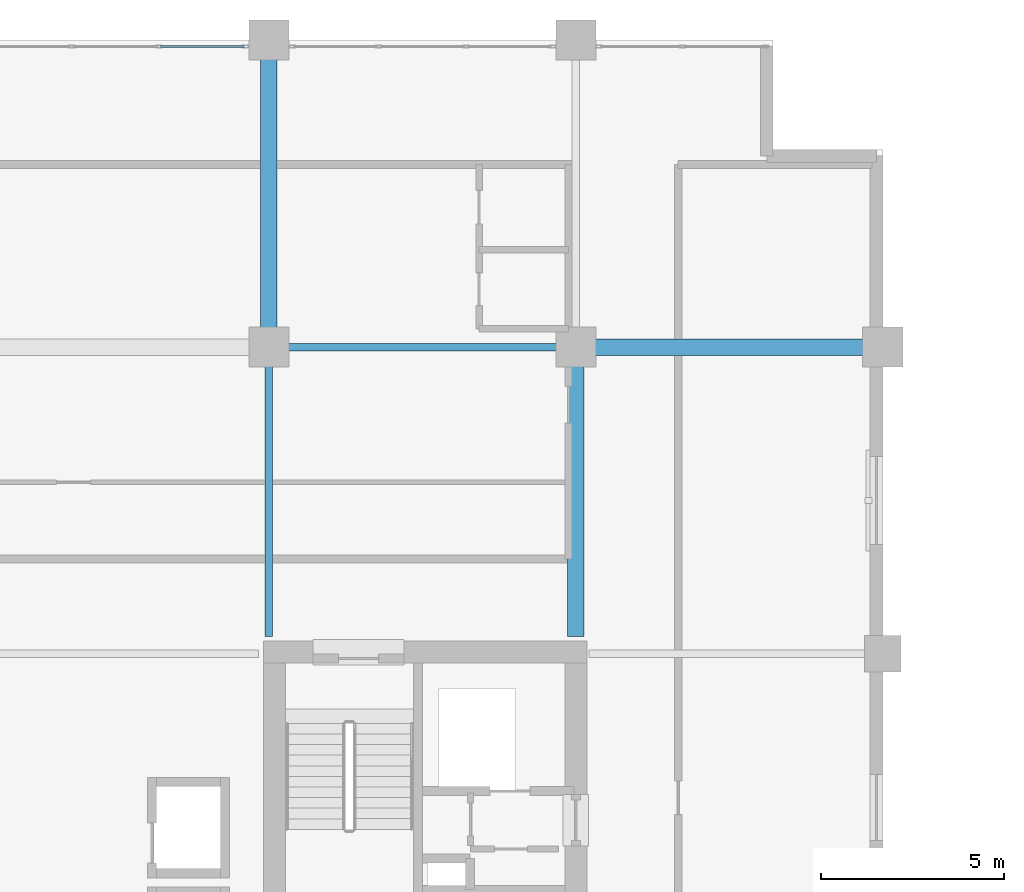
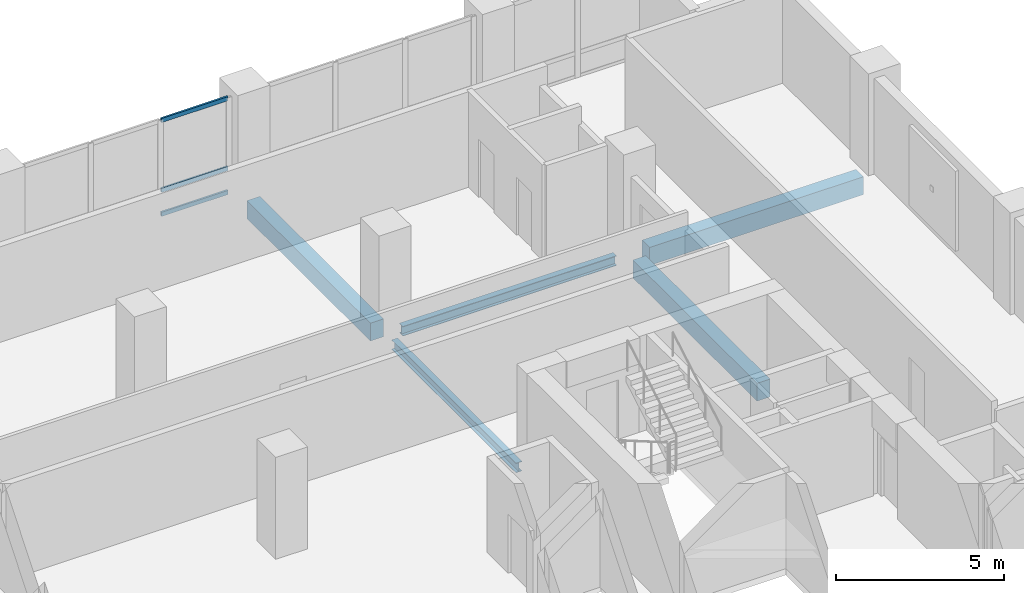
# One storey, part 4 of 19: 5 beams, 3 members, 1 element without a shape of its own.
"""IFC4 building model written with IfcOpenShell, lengths in metres."""

from ifc_helpers import new_model, si_unit, direction, frame, origin, origin_2d, place, context, subcontext, project, spatial, rectangle, hollow_rectangle, i_section, extrude, material, layer, layer_set, material_profile, profile_set, type_object, element, aggregate, save


model = new_model("IFC4")

# Units and contexts
model_context = context("Model", 3, precision=1e-05, world=origin(), true_north=direction((0.0, 1.0)))
body_context = subcontext(model_context, "Body", "Model", "MODEL_VIEW")
ifc_project = project(units=[si_unit("LENGTHUNIT", "METRE"), si_unit("AREAUNIT", "SQUARE_METRE"), si_unit("VOLUMEUNIT", "CUBIC_METRE"), si_unit("PLANEANGLEUNIT", "RADIAN"), si_unit("MASSUNIT", "GRAM", prefix="KILO")], contexts=[model_context])

# Site, building, storey
site_placement = place(None, origin())
site = spatial("IfcSite", under=ifc_project, at=site_placement, CompositionType="ELEMENT")
building_placement = place(site_placement, origin())
building = spatial("IfcBuilding", under=site, at=building_placement, Name="Koriwani Terraces Tower", CompositionType="ELEMENT")
storey_placement = place(building_placement, frame((0.0, 0.0, 190.199951171875)))
storey = spatial("IfcBuildingStorey", under=building, at=storey_placement, Name="L46", CompositionType="ELEMENT", Elevation=190.199951171875)

# Beams
ifc_material_1 = material(Name="Concrete C50/60", Category="concrete")
ifc_material_profile_1 = material_profile(ifc_material_1, rectangle(XDim=0.449951171875, YDim=0.64990234375, at=origin_2d()), Name="Concrete C50/60", Category="LoadBearing")
ifc_profile_set_1 = profile_set([ifc_material_profile_1], Name="Concrete C50/60")
beam_type_1 = type_object("IfcBeamType", Name="BEAM_RC_GRID_450X650", PredefinedType="BEAM", material=ifc_profile_set_1)
for number, where, z_axis, x_axis, name in (
    (1, (25.72998046875, 67.199951171875, -0.554931640625), (1.0, 0.0, 0.0), (0.0, 1.0, 0.0), "L46 Grid Beam I (25.2-33.6m)"),
    (2, (16.800048828125, 67.72998046875, -0.554931640625), (0.0, 1.0, 0.0), (-1.0, 0.0, 0.0), "L46 Grid Beam 3 (67.2-75.6m)"),
):
    element("IfcBeam", number, at=place(storey_placement, frame(where, z_axis=z_axis, x_axis=x_axis)), inside=storey, type_object=beam_type_1, Name=name, PredefinedType="BEAM", context=body_context, shape_type="SweptSolid", body=[
        extrude(rectangle(XDim=0.449951171875, YDim=0.64990234375, at=origin_2d()), origin(), (0.0, 0.0, 1.0), 7.340087890625),
    ])
beam_1_placement = place(storey_placement, frame((25.199951171875, 59.280029296875, -0.554931640625), z_axis=(0.0, 1.0, 0.0), x_axis=(-1.0, 0.0, 0.0)))
element("IfcBeam", 3, at=beam_1_placement, inside=storey, type_object=beam_type_1, Name="L46 Grid Beam 4 (58.8-67.2m)", PredefinedType="BEAM", context=body_context, shape_type="SweptSolid", body=[
    extrude(rectangle(XDim=0.449951171875, YDim=0.64990234375, at=origin_2d()), origin(), (0.0, 0.0, 1.0), 7.389892578125),
])

# Curtain wall, members
ifc_material_2 = material(Name="Anodised Bronze Aluminium", Category="aluminium")
ifc_layer = layer(ifc_material_2, 0.169921875, Name="Anodised Bronze Aluminium")
ifc_layer_set = layer_set([ifc_layer], Name="Anodised Bronze Aluminium")
curtain_wall_type = type_object("IfcCurtainWallType", Name="CW_RES_ZONE3", PredefinedType="NOTDEFINED", material=ifc_layer_set)
curtain_wall_placement = place(storey_placement, origin())
curtain_wall = element("IfcCurtainWall", 4, at=curtain_wall_placement, inside=storey, type_object=curtain_wall_type, Name="L46 Unitised Curtain Wall (N_TIP) Bay 2", PredefinedType="NOTDEFINED")
ifc_material_profile_2 = material_profile(ifc_material_2, hollow_rectangle(XDim=0.06494140625, YDim=0.14990234375, WallThickness=0.0048828125, at=origin_2d()), Name="Anodised Bronze Aluminium", Category="LoadBearing")
ifc_profile_set_2 = profile_set([ifc_material_profile_2], Name="Anodised Bronze Aluminium")
member_type = type_object("IfcMemberType", Name="CW_TRANSOM_150X65", PredefinedType="USERDEFINED", material=ifc_profile_set_2)
member_1_placement = place(storey_placement, frame((13.834228515625, 75.425048828125, 0.032470703125), z_axis=(1.0, 0.0, 0.0), x_axis=(0.0, 1.0, 0.0)))
member_1 = element("IfcMember", 5, at=member_1_placement, type_object=member_type, Name="CW-Z3 transom 3.1", ObjectType="TRANSOM", PredefinedType="USERDEFINED", context=body_context, shape_type="SweptSolid", body=[
    extrude(hollow_rectangle(XDim=0.06494140625, YDim=0.14990234375, WallThickness=0.0048828125, at=origin_2d()), origin(), (0.0, 0.0, 1.0), 2.28076171875),
])
member_2_placement = place(storey_placement, frame((13.834228515625, 75.425048828125, 0.900146484375), z_axis=(1.0, 0.0, 0.0), x_axis=(0.0, 1.0, 0.0)))
member_2 = element("IfcMember", 6, at=member_2_placement, type_object=member_type, Name="CW-Z3 transom 3.2", ObjectType="TRANSOM", PredefinedType="USERDEFINED", context=body_context, shape_type="SweptSolid", body=[
    extrude(hollow_rectangle(XDim=0.06494140625, YDim=0.14990234375, WallThickness=0.0048828125, at=origin_2d()), origin(), (0.0, 0.0, 1.0), 2.28076171875),
])
member_3_placement = place(storey_placement, frame((13.834228515625, 75.425048828125, 3.4375), z_axis=(1.0, 0.0, 0.0), x_axis=(0.0, 1.0, 0.0)))
member_3 = element("IfcMember", 7, at=member_3_placement, type_object=member_type, Name="CW-Z3 transom 3.3", ObjectType="TRANSOM", PredefinedType="USERDEFINED", context=body_context, shape_type="SweptSolid", body=[
    extrude(hollow_rectangle(XDim=0.06494140625, YDim=0.14990234375, WallThickness=0.0048828125, at=origin_2d()), origin(), (0.0, 0.0, 1.0), 2.28076171875),
])
aggregate(curtain_wall, [member_1, member_2, member_3])

# Beams
ifc_material_3 = material(Name="Steel ASTM A572 Grade 50", Category="steel")
ifc_material_profile_3 = material_profile(ifc_material_3, i_section(OverallWidth=0.205078125, OverallDepth=0.35400390625, WebThickness=0.009521484375, FlangeThickness=0.016845703125, at=origin_2d()), Name="Steel ASTM A572 Grade 50", Category="LoadBearing")
ifc_profile_set_3 = profile_set([ifc_material_profile_3], Name="Steel ASTM A572 Grade 50")
beam_type_2 = type_object("IfcBeamType", Name="STEEL_BEAM_W360X79", PredefinedType="JOIST", material=ifc_profile_set_3)
beam_2_placement = place(storey_placement, frame((17.330078125, 67.199951171875, -0.406982421875), z_axis=(1.0, 0.0, 0.0), x_axis=(0.0, 1.0, 0.0)))
element("IfcBeam", 8, at=beam_2_placement, inside=storey, type_object=beam_type_2, Name="L46 Grid Beam I (16.8-25.2m)", PredefinedType="JOIST", context=body_context, shape_type="SweptSolid", body=[
    extrude(i_section(OverallWidth=0.205078125, OverallDepth=0.35400390625, WebThickness=0.009521484375, FlangeThickness=0.016845703125, at=origin_2d()), origin(), (0.0, 0.0, 1.0), 7.33984375),
])
beam_3_placement = place(storey_placement, frame((16.800048828125, 59.280029296875, -0.406982421875), z_axis=(0.0, 1.0, 0.0), x_axis=(-1.0, 0.0, 0.0)))
element("IfcBeam", 9, at=beam_3_placement, inside=storey, type_object=beam_type_2, Name="L46 Grid Beam 3 (58.8-67.2m)", PredefinedType="JOIST", context=body_context, shape_type="SweptSolid", body=[
    extrude(i_section(OverallWidth=0.205078125, OverallDepth=0.35400390625, WebThickness=0.009521484375, FlangeThickness=0.016845703125, at=origin_2d()), origin(), (0.0, 0.0, 1.0), 7.389892578125),
])

save(model, "model.ifc")
